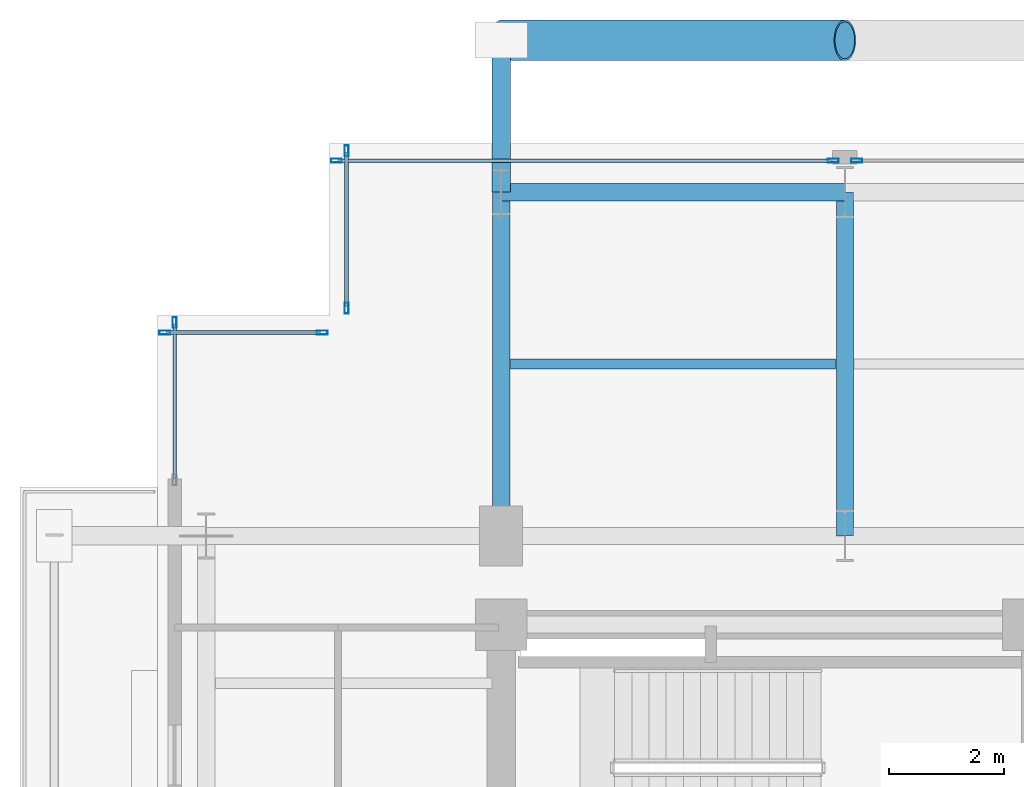
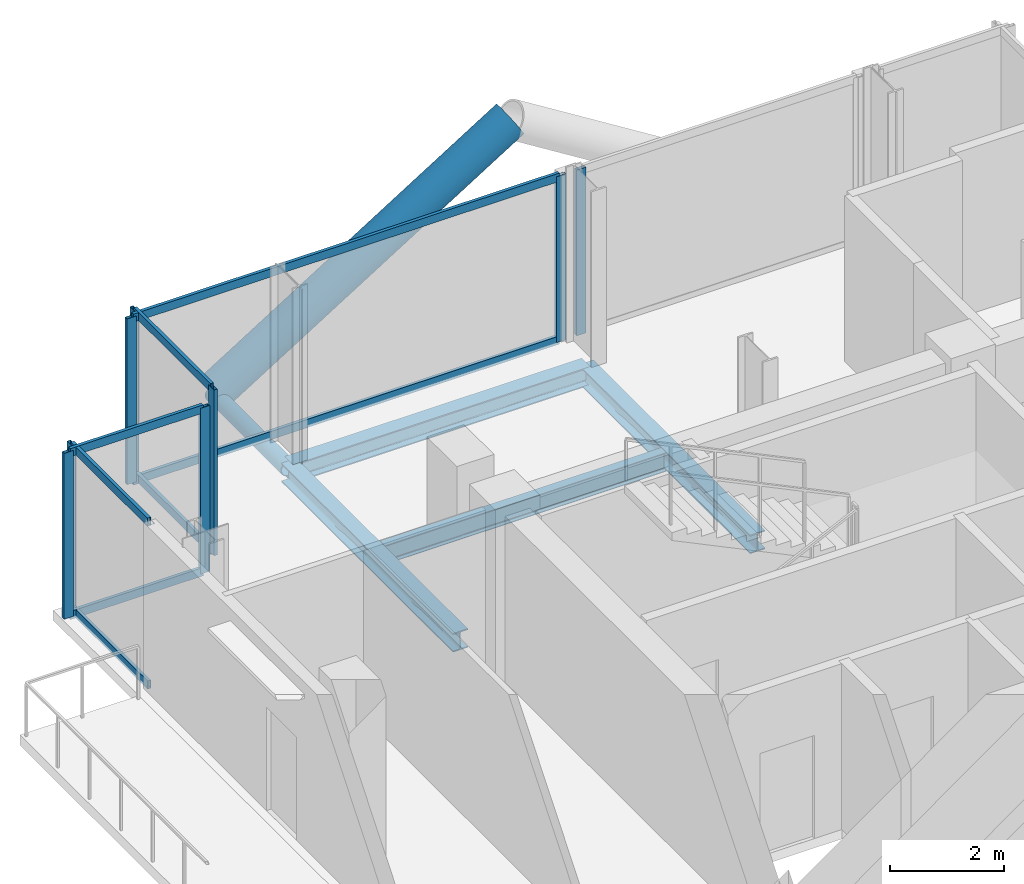
# One storey, part 14 of 25: 18 members, 4 beams, 5 elements without a shape of their own.
"""IFC4 building model written with IfcOpenShell, lengths in metres."""

from ifc_helpers import new_model, si_unit, direction, frame, origin, origin_2d, place, context, subcontext, project, spatial, hollow_rectangle, hollow_circle, i_section, extrude, material, layer, layer_set, material_profile, profile_set, type_object, element, aggregate, save


model = new_model("IFC4")

# Units and contexts
model_context = context("Model", 3, precision=1e-05, world=origin(), true_north=direction((0.0, 1.0)))
body_context = subcontext(model_context, "Body", "Model", "MODEL_VIEW")
ifc_project = project(units=[si_unit("LENGTHUNIT", "METRE"), si_unit("AREAUNIT", "SQUARE_METRE"), si_unit("VOLUMEUNIT", "CUBIC_METRE"), si_unit("PLANEANGLEUNIT", "RADIAN"), si_unit("MASSUNIT", "GRAM", prefix="KILO"), si_unit("THERMODYNAMICTEMPERATUREUNIT", "KELVIN"), si_unit("POWERUNIT", "WATT")], contexts=[model_context])

# Site, building, storey
site_placement = place(None, origin())
site = spatial("IfcSite", under=ifc_project, at=site_placement, CompositionType="ELEMENT")
building_placement = place(site_placement, origin())
building = spatial("IfcBuilding", under=site, at=building_placement, Name="Svarakhadi Broadcast Tower", CompositionType="ELEMENT")
storey_placement = place(building_placement, frame((0.0, 0.0, 212.39990234375)))
storey = spatial("IfcBuildingStorey", under=building, at=storey_placement, Name="L52", CompositionType="ELEMENT", Elevation=212.39990234375)

# Beam
ifc_material_1 = material(Name="Steel S355J2 (IS 2062 E350C)", Category="steel")
ifc_material_profile_1 = material_profile(ifc_material_1, i_section(OverallWidth=0.179931640625, OverallDepth=0.39990234375, WebThickness=0.008544921875, FlangeThickness=0.013427734375, FilletRadius=0.02099609375, at=origin_2d()), Name="NPB 400x180x66")
ifc_profile_set_1 = profile_set([ifc_material_profile_1], Name="Steel S355J2 (IS 2062 E350C)")
beam_type_1 = type_object("IfcBeamType", Name="Beam_NPB400", PredefinedType="BEAM", material=ifc_profile_set_1)
beam_placement = place(storey_placement, frame((6.159912109375, 32.14990234375, -0.409912109375), z_axis=(1.0, 0.0, 0.0), x_axis=(0.0, 1.0, 0.0)))
element("IfcBeam", 1, at=beam_placement, inside=storey, type_object=beam_type_1, Name="L52 Secondary Composite Beam SB008", PredefinedType="BEAM", context=body_context, shape_type="SweptSolid", body=[
    extrude(i_section(OverallWidth=0.179931640625, OverallDepth=0.39990234375, WebThickness=0.008544921875, FlangeThickness=0.013427734375, FilletRadius=0.02099609375, at=origin_2d()), origin(), (0.0, 0.0, 1.0), 5.68017578125),
])

# Curtain wall, member
ifc_material_2 = material(Name="Anodised Bronze Aluminium AA 6063-T6", Category="aluminium")
ifc_layer = layer(ifc_material_2, 0.18994140625)
ifc_layer_set = layer_set([ifc_layer], Name="Anodised Bronze Aluminium AA 6063-T6")
curtain_wall_type = type_object("IfcCurtainWallType", Name="CW_Sys_04", PredefinedType="NOTDEFINED", material=ifc_layer_set)
curtain_wall_1_placement = place(storey_placement, origin())
curtain_wall_1 = element("IfcCurtainWall", 2, at=curtain_wall_1_placement, inside=storey, type_object=curtain_wall_type, Name="L52 West Curtain Wall 03", PredefinedType="NOTDEFINED")
ifc_material_profile_2 = material_profile(ifc_material_2, hollow_rectangle(XDim=0.070068359375, YDim=0.18994140625, WallThickness=0.005615234375, at=origin_2d()), Name="ALU MULLION 190x70x6")
ifc_profile_set_2 = profile_set([ifc_material_profile_2], Name="Anodised Bronze Aluminium AA 6063-T6")
member_type_1 = type_object("IfcMemberType", Name="CW_Sys_04_Mul", PredefinedType="MULLION", material=ifc_profile_set_2)
member_1_placement = place(storey_placement, frame((0.300048828125, 32.875, 0.0), z_axis=(0.0, 0.0, 1.0), x_axis=(-1.0, 0.0, 0.0)))
member_1 = element("IfcMember", 3, at=member_1_placement, type_object=member_type_1, Name="CW-04 mullion 2", PredefinedType="MULLION", context=body_context, shape_type="SweptSolid", body=[
    extrude(hollow_rectangle(XDim=0.070068359375, YDim=0.18994140625, WallThickness=0.005615234375, at=origin_2d()), origin(), (0.0, 0.0, 1.0), 3.5400390625),
])

# Curtain wall, members
curtain_wall_2_placement = place(storey_placement, origin())
curtain_wall_2 = element("IfcCurtainWall", 4, at=curtain_wall_2_placement, inside=storey, type_object=curtain_wall_type, Name="L52 Unitised Facade Curtain Wall 04", PredefinedType="NOTDEFINED")
member_2_placement = place(storey_placement, frame((0.125, 32.699951171875, 0.0), z_axis=(0.0, 0.0, 1.0), x_axis=(0.0, 1.0, 0.0)))
member_2 = element("IfcMember", 5, at=member_2_placement, type_object=member_type_1, Name="CW-04 mullion 1", PredefinedType="MULLION", context=body_context, shape_type="SweptSolid", body=[
    extrude(hollow_rectangle(XDim=0.070068359375, YDim=0.18994140625, WallThickness=0.005615234375, at=origin_2d()), origin(), (0.0, 0.0, 1.0), 3.5400390625),
])
member_3_placement = place(storey_placement, frame((2.875, 32.699951171875, 0.0), z_axis=(0.0, 0.0, 1.0), x_axis=(0.0, 1.0, 0.0)))
member_3 = element("IfcMember", 6, at=member_3_placement, type_object=member_type_1, Name="CW-04 mullion 2", PredefinedType="MULLION", context=body_context, shape_type="SweptSolid", body=[
    extrude(hollow_rectangle(XDim=0.070068359375, YDim=0.18994140625, WallThickness=0.005615234375, at=origin_2d()), origin(), (0.0, 0.0, 1.0), 3.5400390625),
])

curtain_wall_3_placement = place(storey_placement, origin())
curtain_wall_3 = element("IfcCurtainWall", 7, at=curtain_wall_3_placement, inside=storey, type_object=curtain_wall_type, Name="L52 Unitised Facade Curtain Wall 05", PredefinedType="NOTDEFINED")
member_4_placement = place(storey_placement, frame((3.300048828125, 33.125, 0.0), z_axis=(0.0, 0.0, 1.0), x_axis=(-1.0, 0.0, 0.0)))
member_4 = element("IfcMember", 8, at=member_4_placement, type_object=member_type_1, Name="CW-04 mullion 1", PredefinedType="MULLION", context=body_context, shape_type="SweptSolid", body=[
    extrude(hollow_rectangle(XDim=0.070068359375, YDim=0.18994140625, WallThickness=0.005615234375, at=origin_2d()), origin(), (0.0, 0.0, 1.0), 3.5400390625),
])
member_5_placement = place(storey_placement, frame((3.300048828125, 35.875, 0.0), z_axis=(0.0, 0.0, 1.0), x_axis=(-1.0, 0.0, 0.0)))
member_5 = element("IfcMember", 9, at=member_5_placement, type_object=member_type_1, Name="CW-04 mullion 2", PredefinedType="MULLION", context=body_context, shape_type="SweptSolid", body=[
    extrude(hollow_rectangle(XDim=0.070068359375, YDim=0.18994140625, WallThickness=0.005615234375, at=origin_2d()), origin(), (0.0, 0.0, 1.0), 3.5400390625),
])

curtain_wall_4_placement = place(storey_placement, origin())
curtain_wall_4 = element("IfcCurtainWall", 10, at=curtain_wall_4_placement, inside=storey, type_object=curtain_wall_type, Name="L52 Unitised Facade Curtain Wall 06 Bay 1", PredefinedType="NOTDEFINED")
member_6_placement = place(storey_placement, frame((3.125, 35.699951171875, 0.0), z_axis=(0.0, 0.0, 1.0), x_axis=(0.0, 1.0, 0.0)))
member_6 = element("IfcMember", 11, at=member_6_placement, type_object=member_type_1, Name="CW-04 mullion 1", PredefinedType="MULLION", context=body_context, shape_type="SweptSolid", body=[
    extrude(hollow_rectangle(XDim=0.070068359375, YDim=0.18994140625, WallThickness=0.005615234375, at=origin_2d()), origin(), (0.0, 0.0, 1.0), 3.5400390625),
])
member_7_placement = place(storey_placement, frame((11.794921875, 35.699951171875, 0.0), z_axis=(0.0, 0.0, 1.0), x_axis=(0.0, 1.0, 0.0)))
member_7 = element("IfcMember", 12, at=member_7_placement, type_object=member_type_1, Name="CW-04 mullion 2", PredefinedType="MULLION", context=body_context, shape_type="SweptSolid", body=[
    extrude(hollow_rectangle(XDim=0.070068359375, YDim=0.18994140625, WallThickness=0.005615234375, at=origin_2d()), origin(), (0.0, 0.0, 1.0), 3.5400390625),
])

# Curtain wall, member
curtain_wall_5_placement = place(storey_placement, origin())
curtain_wall_5 = element("IfcCurtainWall", 13, at=curtain_wall_5_placement, inside=storey, type_object=curtain_wall_type, Name="L52 Unitised Facade Curtain Wall 06 Bay 2", PredefinedType="NOTDEFINED")
member_8_placement = place(storey_placement, frame((12.205078125, 35.699951171875, 0.0), z_axis=(0.0, 0.0, 1.0), x_axis=(0.0, 1.0, 0.0)))
member_8 = element("IfcMember", 14, at=member_8_placement, type_object=member_type_1, Name="CW-04 mullion 1", PredefinedType="MULLION", context=body_context, shape_type="SweptSolid", body=[
    extrude(hollow_rectangle(XDim=0.070068359375, YDim=0.18994140625, WallThickness=0.005615234375, at=origin_2d()), origin(), (0.0, 0.0, 1.0), 3.5400390625),
])
aggregate(curtain_wall_5, [member_8])

# Member
ifc_material_profile_3 = material_profile(ifc_material_2, hollow_rectangle(XDim=0.06494140625, YDim=0.175048828125, WallThickness=0.0048828125, at=origin_2d()), Name="ALU TRANSOM 175x65x5")
ifc_profile_set_3 = profile_set([ifc_material_profile_3], Name="Anodised Bronze Aluminium AA 6063-T6")
member_type_2 = type_object("IfcMemberType", Name="CW_Sys_04_Trn", PredefinedType="USERDEFINED", material=ifc_profile_set_3)
member_9_placement = place(storey_placement, frame((0.300048828125, 30.159912109375, 0.03271484375), z_axis=(0.0, 1.0, 0.0), x_axis=(-1.0, 0.0, 0.0)))
member_9 = element("IfcMember", 15, at=member_9_placement, type_object=member_type_2, Name="CW-04 transom 1.1", ObjectType="TRANSOM", PredefinedType="USERDEFINED", context=body_context, shape_type="SweptSolid", body=[
    extrude(hollow_rectangle(XDim=0.06494140625, YDim=0.175048828125, WallThickness=0.0048828125, at=origin_2d()), origin(), (0.0, 0.0, 1.0), 2.68017578125),
])

member_10_placement = place(storey_placement, frame((0.300048828125, 30.159912109375, 3.507568359375), z_axis=(0.0, 1.0, 0.0), x_axis=(-1.0, 0.0, 0.0)))
member_10 = element("IfcMember", 16, at=member_10_placement, type_object=member_type_2, Name="CW-04 transom 1.2", ObjectType="TRANSOM", PredefinedType="USERDEFINED", context=body_context, shape_type="SweptSolid", body=[
    extrude(hollow_rectangle(XDim=0.06494140625, YDim=0.175048828125, WallThickness=0.0048828125, at=origin_2d()), origin(), (0.0, 0.0, 1.0), 2.68017578125),
])

aggregate(curtain_wall_1, [member_1, member_9, member_10])

member_11_placement = place(storey_placement, frame((0.159912109375, 32.699951171875, 0.03271484375), z_axis=(1.0, 0.0, 0.0), x_axis=(0.0, 1.0, 0.0)))
member_11 = element("IfcMember", 17, at=member_11_placement, type_object=member_type_2, Name="CW-04 transom 1.1", ObjectType="TRANSOM", PredefinedType="USERDEFINED", context=body_context, shape_type="SweptSolid", body=[
    extrude(hollow_rectangle(XDim=0.06494140625, YDim=0.175048828125, WallThickness=0.0048828125, at=origin_2d()), origin(), (0.0, 0.0, 1.0), 2.68017578125),
])

member_12_placement = place(storey_placement, frame((0.159912109375, 32.699951171875, 3.507568359375), z_axis=(1.0, 0.0, 0.0), x_axis=(0.0, 1.0, 0.0)))
member_12 = element("IfcMember", 18, at=member_12_placement, type_object=member_type_2, Name="CW-04 transom 1.2", ObjectType="TRANSOM", PredefinedType="USERDEFINED", context=body_context, shape_type="SweptSolid", body=[
    extrude(hollow_rectangle(XDim=0.06494140625, YDim=0.175048828125, WallThickness=0.0048828125, at=origin_2d()), origin(), (0.0, 0.0, 1.0), 2.68017578125),
])

aggregate(curtain_wall_2, [member_2, member_3, member_11, member_12])

member_13_placement = place(storey_placement, frame((3.300048828125, 33.159912109375, 0.03271484375), z_axis=(0.0, 1.0, 0.0), x_axis=(-1.0, 0.0, 0.0)))
member_13 = element("IfcMember", 19, at=member_13_placement, type_object=member_type_2, Name="CW-04 transom 1.1", ObjectType="TRANSOM", PredefinedType="USERDEFINED", context=body_context, shape_type="SweptSolid", body=[
    extrude(hollow_rectangle(XDim=0.06494140625, YDim=0.175048828125, WallThickness=0.0048828125, at=origin_2d()), origin(), (0.0, 0.0, 1.0), 2.68017578125),
])

member_14_placement = place(storey_placement, frame((3.300048828125, 33.159912109375, 3.507568359375), z_axis=(0.0, 1.0, 0.0), x_axis=(-1.0, 0.0, 0.0)))
member_14 = element("IfcMember", 20, at=member_14_placement, type_object=member_type_2, Name="CW-04 transom 1.2", ObjectType="TRANSOM", PredefinedType="USERDEFINED", context=body_context, shape_type="SweptSolid", body=[
    extrude(hollow_rectangle(XDim=0.06494140625, YDim=0.175048828125, WallThickness=0.0048828125, at=origin_2d()), origin(), (0.0, 0.0, 1.0), 2.68017578125),
])

aggregate(curtain_wall_3, [member_4, member_5, member_13, member_14])

member_15_placement = place(storey_placement, frame((3.159912109375, 35.699951171875, 0.03271484375), z_axis=(1.0, 0.0, 0.0), x_axis=(0.0, 1.0, 0.0)))
member_15 = element("IfcMember", 21, at=member_15_placement, type_object=member_type_2, Name="CW-04 transom 1.1", ObjectType="TRANSOM", PredefinedType="USERDEFINED", context=body_context, shape_type="SweptSolid", body=[
    extrude(hollow_rectangle(XDim=0.06494140625, YDim=0.175048828125, WallThickness=0.0048828125, at=origin_2d()), origin(), (0.0, 0.0, 1.0), 8.60009765625),
])

member_16_placement = place(storey_placement, frame((3.159912109375, 35.699951171875, 3.507568359375), z_axis=(1.0, 0.0, 0.0), x_axis=(0.0, 1.0, 0.0)))
member_16 = element("IfcMember", 22, at=member_16_placement, type_object=member_type_2, Name="CW-04 transom 1.2", ObjectType="TRANSOM", PredefinedType="USERDEFINED", context=body_context, shape_type="SweptSolid", body=[
    extrude(hollow_rectangle(XDim=0.06494140625, YDim=0.175048828125, WallThickness=0.0048828125, at=origin_2d()), origin(), (0.0, 0.0, 1.0), 8.60009765625),
])

aggregate(curtain_wall_4, [member_6, member_7, member_15, member_16])

# Members
ifc_material_3 = material(Name="Steel S460ML (IS 2062 E450BR)", Category="steel")
ifc_material_profile_4 = material_profile(ifc_material_3, hollow_circle(Radius=0.35546875, WallThickness=0.034912109375, at=origin_2d()), Name="CHS 711x35")
ifc_profile_set_4 = profile_set([ifc_material_profile_4], Name="Steel S460ML (IS 2062 E450BR)")
member_type_3 = type_object("IfcMemberType", Name="Exo_Brace_CHS711", PredefinedType="BRACE", material=ifc_profile_set_4)
member_17_placement = place(storey_placement, frame((6.0, 37.800048828125, -0.371826171875), z_axis=(0.847998304005, 0.0, 0.529998940003), x_axis=(0.0, 1.0, 0.0)))
element("IfcMember", 23, at=member_17_placement, inside=storey, type_object=member_type_3, Name="L52 Exposed Bronze Exoskeleton Diagonal N08", PredefinedType="BRACE", context=body_context, shape_type="SweptSolid", body=[
    extrude(hollow_circle(Radius=0.35546875, WallThickness=0.034912109375, at=origin_2d()), origin(), (0.0, 0.0, 1.0), 7.075439453125),
])
ifc_material_profile_5 = material_profile(ifc_material_3, hollow_circle(Radius=0.161865234375, WallThickness=0.01611328125, at=origin_2d()), Name="CHS 323.9x16")
ifc_profile_set_5 = profile_set([ifc_material_profile_5], Name="Steel S460ML (IS 2062 E450BR)")
member_type_4 = type_object("IfcMemberType", Name="Exo_Radial_Strut_Z2", PredefinedType="STRUT", material=ifc_profile_set_5)
member_18_placement = place(storey_placement, frame((6.0, 37.800048828125, -0.371826171875), z_axis=(0.0, -1.0, 0.0), x_axis=(1.0, 0.0, 0.0)))
element("IfcMember", 24, at=member_18_placement, inside=storey, type_object=member_type_4, Name="L52 Exoskeleton Radial Tie Strut N09", PredefinedType="STRUT", context=body_context, shape_type="SweptSolid", body=[
    extrude(hollow_circle(Radius=0.161865234375, WallThickness=0.01611328125, at=origin_2d()), origin(), (0.0, 0.0, 1.0), 2.650146484375),
])

# Beams
ifc_material_profile_6 = material_profile(ifc_material_1, i_section(OverallWidth=0.300048828125, OverallDepth=0.39990234375, WebThickness=0.013427734375, FlangeThickness=0.02392578125, FilletRadius=0.027099609375, at=origin_2d()), Name="WPB 400x300x155")
ifc_profile_set_6 = profile_set([ifc_material_profile_6], Name="Steel S355J2 (IS 2062 E350C)")
beam_type_2 = type_object("IfcBeamType", Name="Girder_WPB400", PredefinedType="USERDEFINED", material=ifc_profile_set_6)
for number, where, z_axis, x_axis, name in (
    (25, (6.0, 35.14990234375, -0.409912109375), (1.0, 0.0, 0.0), (0.0, 1.0, 0.0), "L52 Primary E-W Girder G031"),
    (26, (6.0, 29.14990234375, -0.409912109375), (0.0, 1.0, 0.0), (-1.0, 0.0, 0.0), "L52 Primary N-S Girder G041"),
    (27, (12.0, 29.14990234375, -0.409912109375), (0.0, 1.0, 0.0), (-1.0, 0.0, 0.0), "L52 Primary N-S Girder G045"),
):
    element("IfcBeam", number, at=place(storey_placement, frame(where, z_axis=z_axis, x_axis=x_axis)), inside=storey, type_object=beam_type_2, Name=name, ObjectType="GIRDER", PredefinedType="USERDEFINED", context=body_context, shape_type="SweptSolid", body=[
        extrude(i_section(OverallWidth=0.300048828125, OverallDepth=0.39990234375, WebThickness=0.013427734375, FlangeThickness=0.02392578125, FilletRadius=0.027099609375, at=origin_2d()), origin(), (0.0, 0.0, 1.0), 6.0),
    ])

save(model, "model.ifc")
